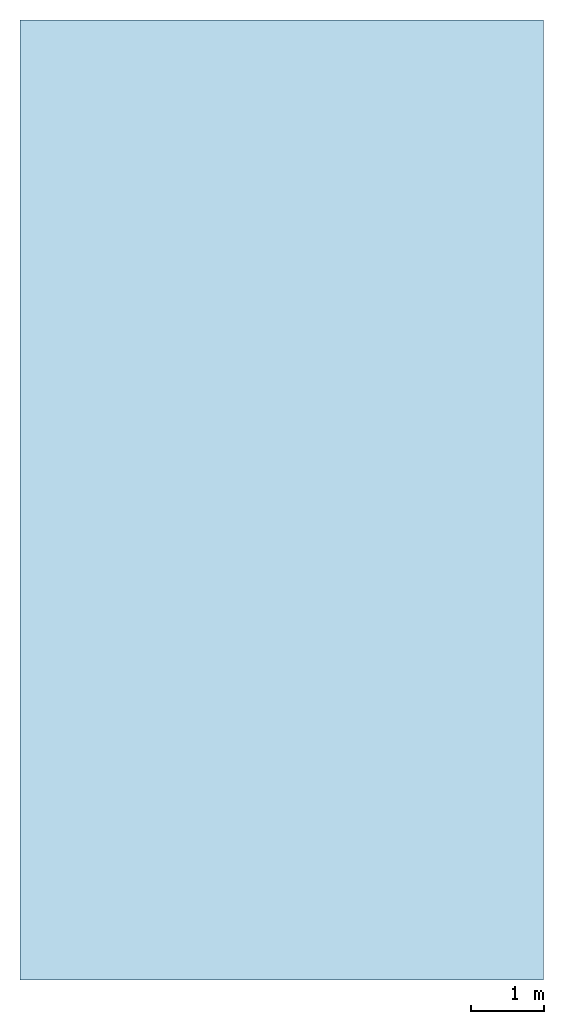
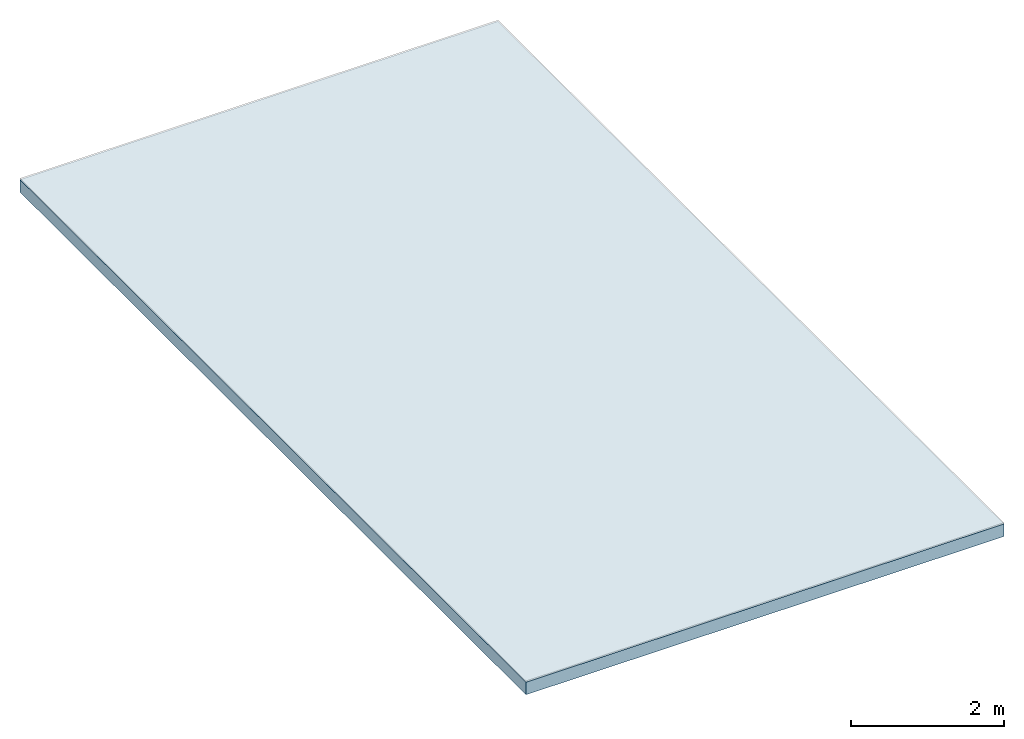
# One storey, part 1 of 2: 1 slab.
"""IFC4 building model written with IfcOpenShell, lengths in metres."""

from ifc_helpers import new_model, si_unit, direction, frame, origin, place, context, subcontext, project, spatial, polyline, outline, extrude, material, layer, layer_set, type_object, element, save


model = new_model("IFC4")

# Units and contexts
model_context = context("Model", 3, precision=1e-05, world=origin(), true_north=direction((0.0, 1.0)))
body_context = subcontext(model_context, "Body", "Model", "MODEL_VIEW")
ifc_project = project(units=[si_unit("LENGTHUNIT", "METRE"), si_unit("AREAUNIT", "SQUARE_METRE"), si_unit("VOLUMEUNIT", "CUBIC_METRE"), si_unit("PLANEANGLEUNIT", "RADIAN"), si_unit("MASSUNIT", "GRAM", prefix="KILO")], contexts=[model_context])

# Site, building, storey
site_placement = place(None, origin())
site = spatial("IfcSite", under=ifc_project, at=site_placement, CompositionType="ELEMENT")
building_placement = place(site_placement, origin())
building = spatial("IfcBuilding", under=site, at=building_placement, Name="Saffron Lane Theatres", CompositionType="ELEMENT")
storey_placement = place(building_placement, frame((0.0, 0.0, 39.60009765625)))
storey = spatial("IfcBuildingStorey", under=building, at=storey_placement, Name="Roof Tower 2", CompositionType="ELEMENT", Elevation=39.60009765625)

# Slab
ifc_material = material(Name="Steel Grade 350 insulated roof deck", Category="steel")
ifc_layer = layer(ifc_material, 0.080078125)
ifc_layer_set = layer_set([ifc_layer], Name="Steel Grade 350 insulated roof deck")
slab_type = type_object("IfcSlabType", Name="ST-LANTERN CAP", PredefinedType="ROOF", material=ifc_layer_set)
slab_placement = place(storey_placement, frame((0.0, 0.0, -0.170166015625)))
element("IfcSlab", 1, at=slab_placement, inside=storey, type_object=slab_type, Name="LC2", PredefinedType="ROOF", context=body_context, shape_type="SweptSolid", body=[
    extrude(outline(polyline([(29.39990234375, 35.64990234375), (36.60009765625, 35.64990234375), (36.60009765625, 48.85009765625), (29.39990234375, 48.85009765625), (29.39990234375, 35.64990234375)])), origin(), (0.0, 0.0, 1.0), 0.199951171875),
])

save(model, "model.ifc")
